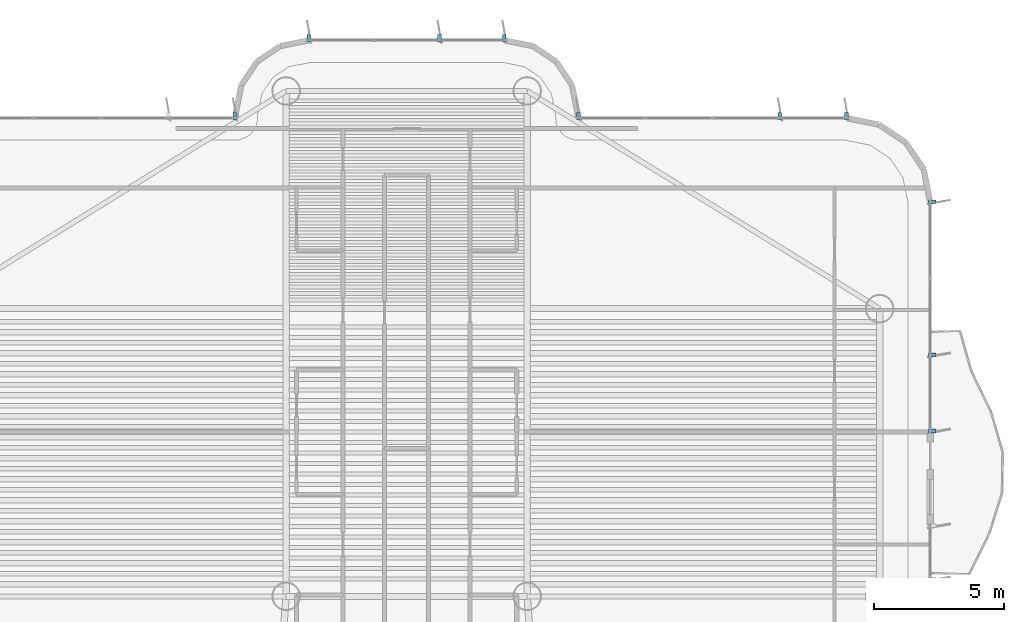
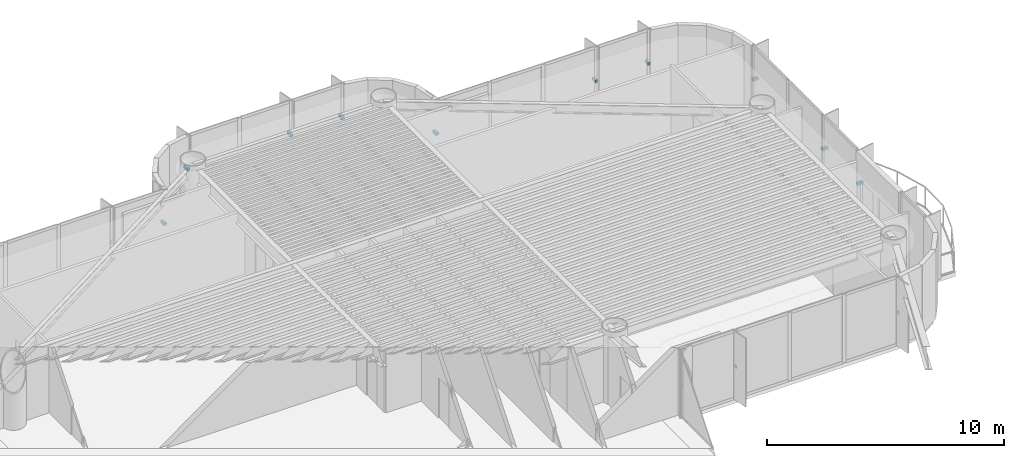
# One storey, part 13 of 15: 10 discrete accessories.
"""IFC4 building model written with IfcOpenShell, lengths in metres."""

from ifc_helpers import new_model, si_unit, direction, frame, origin, origin_2d, place, context, subcontext, project, spatial, rectangle, extrude, source, transform, mapped, material, type_object, element, save


model = new_model("IFC4")

# Units and contexts
model_context = context("Model", 3, precision=1e-05, world=origin(), true_north=direction((0.0, 1.0)))
body_context = subcontext(model_context, "Body", "Model", "MODEL_VIEW")
ifc_project = project(units=[si_unit("LENGTHUNIT", "METRE"), si_unit("AREAUNIT", "SQUARE_METRE"), si_unit("VOLUMEUNIT", "CUBIC_METRE"), si_unit("PLANEANGLEUNIT", "RADIAN"), si_unit("MASSUNIT", "GRAM", prefix="KILO")], contexts=[model_context])

# Site, building, storey
site_placement = place(None, origin())
site = spatial("IfcSite", under=ifc_project, at=site_placement, CompositionType="ELEMENT")
building_placement = place(site_placement, origin())
building = spatial("IfcBuilding", under=site, at=building_placement, Name="Brelvock Crest Care Tower", CompositionType="ELEMENT")
storey_placement = place(building_placement, frame((0.0, 0.0, 163.97998046875)))
storey = spatial("IfcBuildingStorey", under=building, at=storey_placement, Name="L41", CompositionType="ELEMENT", Elevation=163.97998046875)

# Discrete accessories
ifc_material = material(Name="Steel Grade 350", Category="steel")
discrete_accessory_type = type_object("IfcDiscreteAccessoryType", Name="ACC-BRK1", PredefinedType="BRACKET", material=ifc_material)
shared_shape = source(origin(), body_context, "Body", "SweptSolid", [
    extrude(rectangle(XDim=0.280029296875, YDim=0.139892578125, at=origin_2d()), origin(), (0.0, 0.0, 1.0), 0.139892578125),
])
for number, where, z_axis, x_axis, name in (
    (1, (29.3701171875, 53.47998046875, 1.6953125), (0.0, 0.0, 1.0), (0.0, 1.0, 0.0), "L41 Facade Fin Bracket E22-05"),
    (2, (32.22998046875, 56.47998046875, 1.6953125), (0.0, 0.0, 1.0), (0.0, 1.0, 0.0), "L41 Facade Fin Bracket E28-01"),
    (3, (37.2666015625, 56.47998046875, 1.6953125), (0.0, 0.0, 1.0), (0.0, 1.0, 0.0), "L41 Facade Fin Bracket E28-03"),
    (4, (39.77001953125, 56.47998046875, 1.6953125), (0.0, 0.0, 1.0), (0.0, 1.0, 0.0), "L41 Facade Fin Bracket E28-04"),
    (5, (42.6298828125, 53.47998046875, 1.6953125), (0.0, 0.0, 1.0), (0.0, 1.0, 0.0), "L41 Facade Fin Bracket E34-01"),
    (6, (50.39990234375, 53.47998046875, 1.6953125), (0.0, 0.0, 1.0), (0.0, 1.0, 0.0), "L41 Facade Fin Bracket E34-04"),
    (7, (52.969970703125, 53.47998046875, 1.6953125), (0.0, 0.0, 1.0), (0.0, 1.0, 0.0), "L41 Facade Fin Bracket E34-05"),
    (8, (56.280029296875, 50.169921875, 1.6953125), (0.0, 0.0, 1.0), (1.0, 0.0, 0.0), "L41 Facade Fin Bracket E39A-01"),
    (9, (56.280029296875, 44.2666015625, 1.6953125), (0.0, 0.0, 1.0), (1.0, 0.0, 0.0), "L41 Facade Fin Bracket E39A-03"),
    (10, (56.280029296875, 41.330078125, 1.6953125), (0.0, 0.0, 1.0), (1.0, 0.0, 0.0), "L41 Facade Fin Bracket E39A-04"),
):
    element("IfcDiscreteAccessory", number, at=place(storey_placement, frame(where, z_axis=z_axis, x_axis=x_axis)), inside=storey, type_object=discrete_accessory_type, Name=name, PredefinedType="BRACKET", context=body_context, shape_type="MappedRepresentation", body=[
        mapped(shared_shape, transform((0.0, 0.0, 0.0), x_axis=(1.0, 0.0, 0.0), y_axis=(0.0, 1.0, 0.0), z_axis=(0.0, 0.0, 1.0), scale=1.0)),
    ])

save(model, "model.ifc")
